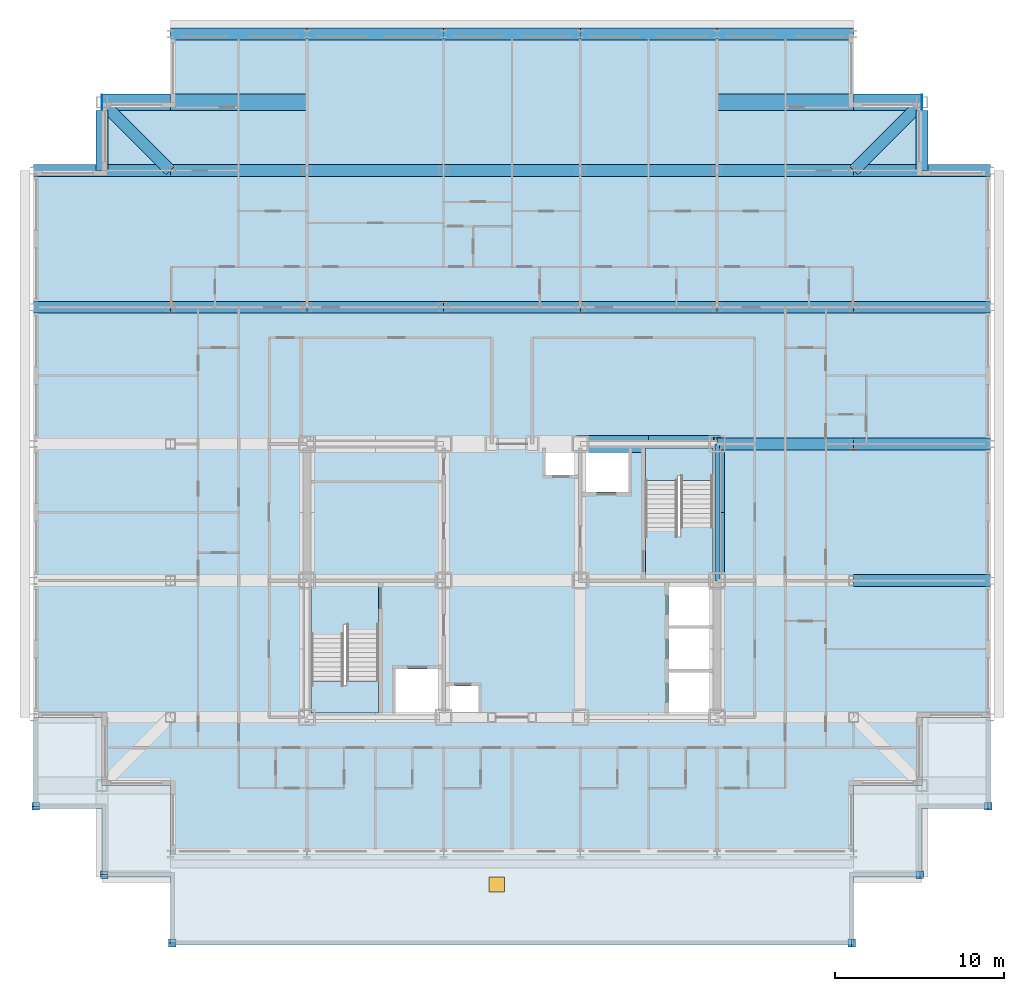
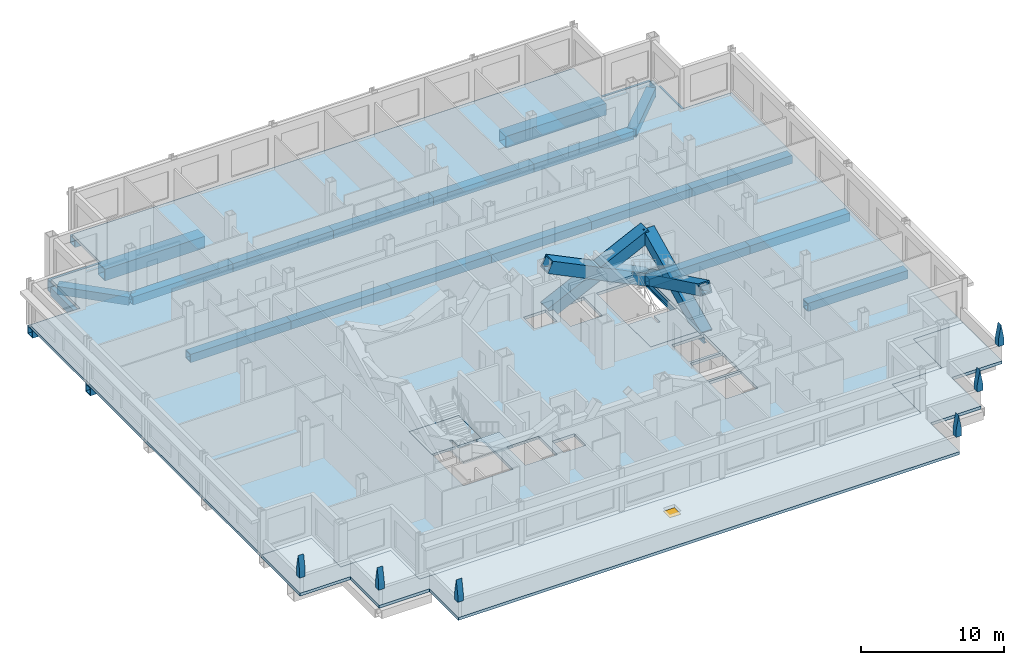
# One storey, part 2 of 15: 31 beams, 8 plates, 6 slabs, 4 members, 1 window, 1 opening, 2 elements without a shape of their own.
"""IFC4 building model written with IfcOpenShell, lengths in metres."""

from ifc_helpers import new_model, si_unit, direction, frame, origin, origin_2d, place, context, subcontext, project, spatial, polyline, rectangle, hollow_rectangle, i_section, outline, extrude, material, layer, layer_set, material_profile, profile_set, type_object, element, fill, aggregate, save


model = new_model("IFC4")

# Units and contexts
model_context = context("Model", 3, precision=1e-05, world=origin(), true_north=direction((0.0, 1.0)))
body_context = subcontext(model_context, "Body", "Model", "MODEL_VIEW")
ifc_project = project(units=[si_unit("LENGTHUNIT", "METRE"), si_unit("AREAUNIT", "SQUARE_METRE"), si_unit("VOLUMEUNIT", "CUBIC_METRE"), si_unit("PLANEANGLEUNIT", "RADIAN"), si_unit("MASSUNIT", "GRAM", prefix="KILO")], contexts=[model_context])

# Site, building, storey
site_placement = place(None, origin())
site = spatial("IfcSite", under=ifc_project, at=site_placement, CompositionType="ELEMENT")
building_placement = place(site_placement, origin())
building = spatial("IfcBuilding", under=site, at=building_placement, Name="Kopane Lantern Tower", CompositionType="ELEMENT")
storey_placement = place(building_placement, frame((0.0, 0.0, 242.39990234375)))
storey = spatial("IfcBuildingStorey", under=building, at=storey_placement, Name="L62", CompositionType="ELEMENT", Elevation=242.39990234375)

# Members
ifc_material_1 = material(Name="Steel S355JR", Category="steel")
ifc_material_profile_1 = material_profile(ifc_material_1, hollow_rectangle(XDim=1.0, YDim=1.0, WallThickness=0.10009765625, at=origin_2d()), Name="BOX 1000x1000x100")
ifc_profile_set_1 = profile_set([ifc_material_profile_1], Name="Steel S355JR")
member_type_1 = type_object("IfcMemberType", Name="BRACE BOX 1000x1000x100", PredefinedType="BRACE", material=ifc_profile_set_1)
for number, where, z_axis, x_axis, name in (
    (1, (32.39990234375, 40.5, -0.25), (0.899252666322, 0.0, 0.43742958532), (0.0, 1.0, 0.0), "Core brace L62"),
    (2, (40.5, 40.5, -0.25), (-0.899252666322, 0.0, 0.43742958532), (0.0, -1.0, 0.0), "Core brace L62"),
):
    element("IfcMember", number, at=place(storey_placement, frame(where, z_axis=z_axis, x_axis=x_axis)), inside=storey, type_object=member_type_1, Name=name, PredefinedType="BRACE", context=body_context, shape_type="SweptSolid", body=[
        extrude(hollow_rectangle(XDim=1.0, YDim=1.0, WallThickness=0.10009765625, at=origin_2d()), origin(), (0.0, 0.0, 1.0), 9.007568359375),
    ])
ifc_material_2 = material(Name="Steel S355JR", Category="steel")
ifc_material_profile_2 = material_profile(ifc_material_2, hollow_rectangle(XDim=0.89990234375, YDim=0.89990234375, WallThickness=0.090087890625, at=origin_2d()), Name="BOX 900x900x90")
ifc_profile_set_2 = profile_set([ifc_material_profile_2], Name="Steel S355JR")
member_type_2 = type_object("IfcMemberType", Name="BRACE BOX 900x900x90", PredefinedType="BRACE", material=ifc_profile_set_2)
for number, where, z_axis, x_axis, name in (
    (3, (40.5, 32.39990234375, -0.25), (0.0, 0.899252666322, 0.43742958532), (-1.0, 0.0, 0.0), "Core brace L62"),
    (4, (40.5, 40.5, -0.25), (0.0, -0.899252666322, 0.43742958532), (1.0, 0.0, 0.0), "Core brace L62"),
):
    element("IfcMember", number, at=place(storey_placement, frame(where, z_axis=z_axis, x_axis=x_axis)), inside=storey, type_object=member_type_2, Name=name, PredefinedType="BRACE", context=body_context, shape_type="SweptSolid", body=[
        extrude(hollow_rectangle(XDim=0.89990234375, YDim=0.89990234375, WallThickness=0.090087890625, at=origin_2d()), origin(), (0.0, 0.0, 1.0), 9.007568359375),
    ])

# Beams
ifc_material_3 = material(Name="Steel S355JR", Category="steel")
ifc_material_profile_3 = material_profile(ifc_material_3, hollow_rectangle(XDim=0.699951171875, YDim=0.699951171875, WallThickness=0.06005859375, at=origin_2d()), Name="BOX 700x700x60")
ifc_profile_set_3 = profile_set([ifc_material_profile_3], Name="Steel S355JR")
beam_type_1 = type_object("IfcBeamType", Name="CORNER TIE BEAM BOX 700x700x60", PredefinedType="BEAM", material=ifc_profile_set_3)
beam_1_placement = place(storey_placement, frame((4.403564453125, 60.396484375, -0.599853515625), z_axis=(0.707106781187, -0.707106781187, 0.0), x_axis=(0.707106781187, 0.707106781187, 0.0)))
element("IfcBeam", 5, at=beam_1_placement, inside=storey, type_object=beam_type_1, Name="Corner Tie Beam L62", PredefinedType="BEAM", context=body_context, shape_type="SweptSolid", body=[
    extrude(hollow_rectangle(XDim=0.699951171875, YDim=0.699951171875, WallThickness=0.06005859375, at=origin_2d()), origin(), (0.0, 0.0, 1.0), 5.227783203125),
])
beam_2_placement = place(storey_placement, frame((52.29638671875, 60.396484375, -0.599853515625), z_axis=(-0.707083429301, -0.707130132301, 0.0), x_axis=(0.707130132301, -0.707083429301, 0.0)))
element("IfcBeam", 6, at=beam_2_placement, inside=storey, type_object=beam_type_1, Name="Corner Tie Beam L62", PredefinedType="BEAM", context=body_context, shape_type="SweptSolid", body=[
    extrude(hollow_rectangle(XDim=0.699951171875, YDim=0.699951171875, WallThickness=0.06005859375, at=origin_2d()), origin(), (0.0, 0.0, 1.0), 5.2275390625),
])
ifc_material_4 = material(Name="Steel S355JR", Category="steel")
ifc_material_profile_4 = material_profile(ifc_material_4, hollow_rectangle(XDim=0.699951171875, YDim=0.699951171875, WallThickness=0.06005859375, at=origin_2d()), Name="BOX 700x700x60")
ifc_profile_set_4 = profile_set([ifc_material_profile_4], Name="Steel S355JR")
beam_type_2 = type_object("IfcBeamType", Name="EDGE BEAM BOX 700x700x60", PredefinedType="BEAM", material=ifc_profile_set_4)
for number, where, z_axis, x_axis, name in (
    (7, (4.050048828125, 60.25, -0.599853515625), (0.0, -1.0, 0.0), (1.0, 0.0, 0.0), "Edge Beam L62"),
    (8, (52.64990234375, 60.25, -0.599853515625), (0.0, -1.0, 0.0), (1.0, 0.0, 0.0), "Edge Beam L62"),
):
    element("IfcBeam", number, at=place(storey_placement, frame(where, z_axis=z_axis, x_axis=x_axis)), inside=storey, type_object=beam_type_2, Name=name, PredefinedType="BEAM", context=body_context, shape_type="SweptSolid", body=[
        extrude(hollow_rectangle(XDim=0.699951171875, YDim=0.699951171875, WallThickness=0.06005859375, at=origin_2d()), origin(), (0.0, 0.0, 1.0), 3.550048828125),
    ])
ifc_material_5 = material(Name="Steel S355JR", Category="steel")
ifc_material_profile_5 = material_profile(ifc_material_5, hollow_rectangle(XDim=0.699951171875, YDim=0.699951171875, WallThickness=0.06005859375, at=origin_2d()), Name="BOX 700x700x60")
ifc_profile_set_5 = profile_set([ifc_material_profile_5], Name="Steel S355JR")
beam_type_3 = type_object("IfcBeamType", Name="GIRDER BOX 700x700x60", PredefinedType="BEAM", material=ifc_profile_set_5)
for number, where, z_axis, x_axis, name in (
    (9, (0.0, 48.60009765625, -0.599853515625), (1.0, 0.0, 0.0), (0.0, 1.0, 0.0), "Girder L62"),
    (10, (0.0, 56.699951171875, -0.599853515625), (1.0, 0.0, 0.0), (0.0, 1.0, 0.0), "Girder L62"),
):
    element("IfcBeam", number, at=place(storey_placement, frame(where, z_axis=z_axis, x_axis=x_axis)), inside=storey, type_object=beam_type_3, Name=name, PredefinedType="BEAM", context=body_context, shape_type="SweptSolid", body=[
        extrude(hollow_rectangle(XDim=0.699951171875, YDim=0.699951171875, WallThickness=0.06005859375, at=origin_2d()), origin(), (0.0, 0.0, 1.0), 8.10009765625),
    ])
for number, where, z_axis, x_axis, name in (
    (11, (8.10009765625, 48.60009765625, -0.599853515625), (1.0, 0.0, 0.0), (0.0, 1.0, 0.0), "Girder L62"),
    (12, (8.10009765625, 56.699951171875, -0.599853515625), (1.0, 0.0, 0.0), (0.0, 1.0, 0.0), "Girder L62"),
    (13, (8.10009765625, 64.800048828125, -0.599853515625), (1.0, 0.0, 0.0), (0.0, 1.0, 0.0), "Girder L62"),
):
    element("IfcBeam", number, at=place(storey_placement, frame(where, z_axis=z_axis, x_axis=x_axis)), inside=storey, type_object=beam_type_3, Name=name, PredefinedType="BEAM", context=body_context, shape_type="SweptSolid", body=[
        extrude(hollow_rectangle(XDim=0.699951171875, YDim=0.699951171875, WallThickness=0.06005859375, at=origin_2d()), origin(), (0.0, 0.0, 1.0), 8.099853515625),
    ])
for number, where, z_axis, x_axis, name in (
    (14, (16.199951171875, 48.60009765625, -0.599853515625), (1.0, 0.0, 0.0), (0.0, 1.0, 0.0), "Girder L62"),
    (15, (16.199951171875, 56.699951171875, -0.599853515625), (1.0, 0.0, 0.0), (0.0, 1.0, 0.0), "Girder L62"),
    (16, (16.199951171875, 64.800048828125, -0.599853515625), (1.0, 0.0, 0.0), (0.0, 1.0, 0.0), "Girder L62"),
):
    element("IfcBeam", number, at=place(storey_placement, frame(where, z_axis=z_axis, x_axis=x_axis)), inside=storey, type_object=beam_type_3, Name=name, PredefinedType="BEAM", context=body_context, shape_type="SweptSolid", body=[
        extrude(hollow_rectangle(XDim=0.699951171875, YDim=0.699951171875, WallThickness=0.06005859375, at=origin_2d()), origin(), (0.0, 0.0, 1.0), 8.10009765625),
    ])
for number, where, z_axis, x_axis, name in (
    (17, (24.300048828125, 48.60009765625, -0.599853515625), (1.0, 0.0, 0.0), (0.0, 1.0, 0.0), "Girder L62"),
    (18, (24.300048828125, 56.699951171875, -0.599853515625), (1.0, 0.0, 0.0), (0.0, 1.0, 0.0), "Girder L62"),
    (19, (24.300048828125, 64.800048828125, -0.599853515625), (1.0, 0.0, 0.0), (0.0, 1.0, 0.0), "Girder L62"),
):
    element("IfcBeam", number, at=place(storey_placement, frame(where, z_axis=z_axis, x_axis=x_axis)), inside=storey, type_object=beam_type_3, Name=name, PredefinedType="BEAM", context=body_context, shape_type="SweptSolid", body=[
        extrude(hollow_rectangle(XDim=0.699951171875, YDim=0.699951171875, WallThickness=0.06005859375, at=origin_2d()), origin(), (0.0, 0.0, 1.0), 8.099853515625),
    ])
for number, where, z_axis, x_axis, name in (
    (20, (32.39990234375, 48.60009765625, -0.599853515625), (1.0, 0.0, 0.0), (0.0, 1.0, 0.0), "Girder L62"),
    (21, (32.39990234375, 56.699951171875, -0.599853515625), (1.0, 0.0, 0.0), (0.0, 1.0, 0.0), "Girder L62"),
    (22, (32.39990234375, 64.800048828125, -0.599853515625), (1.0, 0.0, 0.0), (0.0, 1.0, 0.0), "Girder L62"),
    (23, (40.5, 40.5, -0.599853515625), (1.0, 0.0, 0.0), (0.0, 1.0, 0.0), "Girder L62"),
    (24, (40.5, 48.60009765625, -0.599853515625), (1.0, 0.0, 0.0), (0.0, 1.0, 0.0), "Girder L62"),
    (25, (40.5, 56.699951171875, -0.599853515625), (1.0, 0.0, 0.0), (0.0, 1.0, 0.0), "Girder L62"),
    (26, (40.5, 64.800048828125, -0.599853515625), (1.0, 0.0, 0.0), (0.0, 1.0, 0.0), "Girder L62"),
):
    element("IfcBeam", number, at=place(storey_placement, frame(where, z_axis=z_axis, x_axis=x_axis)), inside=storey, type_object=beam_type_3, Name=name, PredefinedType="BEAM", context=body_context, shape_type="SweptSolid", body=[
        extrude(hollow_rectangle(XDim=0.699951171875, YDim=0.699951171875, WallThickness=0.06005859375, at=origin_2d()), origin(), (0.0, 0.0, 1.0), 8.10009765625),
    ])
for number, where, z_axis, x_axis, name in (
    (27, (48.60009765625, 32.39990234375, -0.599853515625), (1.0, 0.0, 0.0), (0.0, 1.0, 0.0), "Girder L62"),
    (28, (48.60009765625, 40.5, -0.599853515625), (1.0, 0.0, 0.0), (0.0, 1.0, 0.0), "Girder L62"),
    (29, (48.60009765625, 48.60009765625, -0.599853515625), (1.0, 0.0, 0.0), (0.0, 1.0, 0.0), "Girder L62"),
    (30, (48.60009765625, 56.699951171875, -0.599853515625), (1.0, 0.0, 0.0), (0.0, 1.0, 0.0), "Girder L62"),
):
    element("IfcBeam", number, at=place(storey_placement, frame(where, z_axis=z_axis, x_axis=x_axis)), inside=storey, type_object=beam_type_3, Name=name, PredefinedType="BEAM", context=body_context, shape_type="SweptSolid", body=[
        extrude(hollow_rectangle(XDim=0.699951171875, YDim=0.699951171875, WallThickness=0.06005859375, at=origin_2d()), origin(), (0.0, 0.0, 1.0), 8.099853515625),
    ])
ifc_material_6 = material(Name="Steel S355JR", Category="steel")
ifc_material_profile_6 = material_profile(ifc_material_6, i_section(OverallWidth=0.2666015625, OverallDepth=0.76220703125, WebThickness=0.014404296875, FlangeThickness=0.021484375, FilletRadius=0.0166015625, at=origin_2d()), Name="UB 762x267x173")
ifc_profile_set_6 = profile_set([ifc_material_profile_6], Name="Steel S355JR")
beam_type_4 = type_object("IfcBeamType", Name="GIRDER UB 762x267x173", PredefinedType="BEAM", material=ifc_profile_set_6)
beam_3_placement = place(storey_placement, frame((40.5, 32.39990234375, -0.631103515625), z_axis=(0.0, 1.0, 0.0), x_axis=(-1.0, 0.0, 0.0)))
element("IfcBeam", 31, at=beam_3_placement, inside=storey, type_object=beam_type_4, Name="Girder L62", PredefinedType="BEAM", context=body_context, shape_type="SweptSolid", body=[
    extrude(i_section(OverallWidth=0.2666015625, OverallDepth=0.76220703125, WebThickness=0.014404296875, FlangeThickness=0.021484375, FilletRadius=0.0166015625, at=origin_2d()), origin(), (0.0, 0.0, 1.0), 8.10009765625),
])
ifc_material_7 = material(Name="Steel S355JR", Category="steel")
ifc_material_profile_7 = material_profile(ifc_material_7, hollow_rectangle(XDim=1.0, YDim=1.0, WallThickness=0.06005859375, at=origin_2d()), Name="BOX 1000x1000x60")
ifc_profile_set_7 = profile_set([ifc_material_profile_7], Name="Steel S355JR")
beam_type_5 = type_object("IfcBeamType", Name="TRANSFER BEAM BOX 1000x1000x60", PredefinedType="BEAM", material=ifc_profile_set_7)
beam_4_placement = place(storey_placement, frame((4.050048828125, 60.75, -0.75), z_axis=(1.0, 0.0, 0.0), x_axis=(0.0, 1.0, 0.0)))
element("IfcBeam", 32, at=beam_4_placement, inside=storey, type_object=beam_type_5, Name="Transfer Beam L62", PredefinedType="BEAM", context=body_context, shape_type="SweptSolid", body=[
    extrude(hollow_rectangle(XDim=1.0, YDim=1.0, WallThickness=0.06005859375, at=origin_2d()), origin(), (0.0, 0.0, 1.0), 4.050048828125),
])
beam_5_placement = place(storey_placement, frame((8.10009765625, 60.75, -0.75), z_axis=(1.0, 0.0, 0.0), x_axis=(0.0, 1.0, 0.0)))
element("IfcBeam", 33, at=beam_5_placement, inside=storey, type_object=beam_type_5, Name="Transfer Beam L62", PredefinedType="BEAM", context=body_context, shape_type="SweptSolid", body=[
    extrude(hollow_rectangle(XDim=1.0, YDim=1.0, WallThickness=0.06005859375, at=origin_2d()), origin(), (0.0, 0.0, 1.0), 8.099853515625),
])
beam_6_placement = place(storey_placement, frame((48.60009765625, 60.75, -0.75), z_axis=(-1.0, 0.0, 0.0), x_axis=(0.0, -1.0, 0.0)))
element("IfcBeam", 34, at=beam_6_placement, inside=storey, type_object=beam_type_5, Name="Transfer Beam L62", PredefinedType="BEAM", context=body_context, shape_type="SweptSolid", body=[
    extrude(hollow_rectangle(XDim=1.0, YDim=1.0, WallThickness=0.06005859375, at=origin_2d()), origin(), (0.0, 0.0, 1.0), 8.10009765625),
])
beam_7_placement = place(storey_placement, frame((52.64990234375, 60.75, -0.75), z_axis=(-1.0, 0.0, 0.0), x_axis=(0.0, -1.0, 0.0)))
element("IfcBeam", 35, at=beam_7_placement, inside=storey, type_object=beam_type_5, Name="Transfer Beam L62", PredefinedType="BEAM", context=body_context, shape_type="SweptSolid", body=[
    extrude(hollow_rectangle(XDim=1.0, YDim=1.0, WallThickness=0.06005859375, at=origin_2d()), origin(), (0.0, 0.0, 1.0), 4.0498046875),
])

# Plates
ifc_material_8 = material(Name="Terracotta rainscreen on light steel framing", Category="masonry")
ifc_layer_1 = layer(ifc_material_8, 0.449951171875)
ifc_layer_set_1 = layer_set([ifc_layer_1], Name="PINNACLE TP1 450x450x1800 TERRACOTTA")
plate_type_1 = type_object("IfcPlateType", Name="PINNACLE TP1 450x450x1800 TERRACOTTA", PredefinedType="USERDEFINED", material=ifc_layer_set_1)
for number, where, z_axis, x_axis, name in (
    (36, (0.125, 19.25, 1.380126953125), (0.0, 0.0, 1.0), (0.0, -1.0, 0.0), "Pinnacle L62"),
    (37, (4.175048828125, 15.199951171875, 1.380126953125), (0.0, 0.0, 1.0), (0.0, -1.0, 0.0), "Pinnacle L62"),
    (38, (8.22509765625, 11.14990234375, 1.380126953125), (0.0, 0.0, 1.0), (0.0, -1.0, 0.0), "Pinnacle L62"),
    (39, (48.25, 10.925048828125, 1.380126953125), (0.0, 0.0, 1.0), (1.0, 0.0, 0.0), "Pinnacle L62"),
    (40, (52.300048828125, 14.97509765625, 1.380126953125), (0.0, 0.0, 1.0), (1.0, 0.0, 0.0), "Pinnacle L62"),
    (41, (56.35009765625, 19.02490234375, 1.380126953125), (0.0, 0.0, 1.0), (1.0, 0.0, 0.0), "Pinnacle L62"),
):
    element("IfcPlate", number, at=place(storey_placement, frame(where, z_axis=z_axis, x_axis=x_axis)), inside=storey, type_object=plate_type_1, Name=name, ObjectType="PINNACLE", PredefinedType="USERDEFINED", context=body_context, shape_type="SweptSolid", body=[
        extrude(outline(polyline([(0.0, 0.0), (0.449951171875, 0.0), (0.449951171875, 0.599853515625), (0.22509765625, 1.800048828125), (0.0, 0.599853515625), (0.0, 0.0)])), frame((0.0, 0.22509765625, 0.0), z_axis=(0.0, -1.0, 0.0), x_axis=(1.0, 0.0, 0.0)), (0.0, 0.0, 1.0), 0.449951171875),
    ])

# Slab
ifc_material_9 = material(Name="Concrete C40/50", Category="concrete")
ifc_layer_2 = layer(ifc_material_9, 0.25)
ifc_layer_set_2 = layer_set([ifc_layer_2], Name="SLAB 250 COMPOSITE")
slab_type_1 = type_object("IfcSlabType", Name="SLAB 250 COMPOSITE", PredefinedType="FLOOR", material=ifc_layer_set_2)
slab_1_placement = place(storey_placement, frame((0.0, 0.0, -0.25)))
element("IfcSlab", 42, at=slab_1_placement, inside=storey, type_object=slab_type_1, Name="Floor slab L62", PredefinedType="FLOOR", context=body_context, shape_type="SweptSolid", body=[
    extrude(outline(polyline([(8.10009765625, 16.199951171875), (48.60009765625, 16.199951171875), (48.60009765625, 20.25), (52.64990234375, 20.25), (52.64990234375, 24.300048828125), (56.699951171875, 24.300048828125), (56.699951171875, 56.699951171875), (52.64990234375, 56.699951171875), (52.64990234375, 60.75), (48.60009765625, 60.75), (48.60009765625, 64.800048828125), (8.10009765625, 64.800048828125), (8.10009765625, 60.75), (4.050048828125, 60.75), (4.050048828125, 56.699951171875), (0.0, 56.699951171875), (0.0, 24.300048828125), (4.050048828125, 24.300048828125), (4.050048828125, 20.25), (8.10009765625, 20.25), (8.10009765625, 16.199951171875)]), holes=[polyline([(16.449951171875, 24.550048828125), (20.449951171875, 24.550048828125), (20.449951171875, 32.14990234375), (16.449951171875, 32.14990234375), (16.449951171875, 24.550048828125)]), polyline([(36.25, 32.64990234375), (40.25, 32.64990234375), (40.25, 40.25), (36.25, 40.25), (36.25, 32.64990234375)]), polyline([(37.64990234375, 24.550048828125), (40.25, 24.550048828125), (40.25, 26.949951171875), (37.64990234375, 26.949951171875), (37.64990234375, 24.550048828125)]), polyline([(37.64990234375, 27.14990234375), (40.25, 27.14990234375), (40.25, 29.550048828125), (37.64990234375, 29.550048828125), (37.64990234375, 27.14990234375)]), polyline([(37.64990234375, 29.75), (40.25, 29.75), (40.25, 32.14990234375), (37.64990234375, 32.14990234375), (37.64990234375, 29.75)]), polyline([(21.449951171875, 24.550048828125), (24.050048828125, 24.550048828125), (24.050048828125, 27.14990234375), (21.449951171875, 27.14990234375), (21.449951171875, 24.550048828125)]), polyline([(32.64990234375, 37.64990234375), (35.25, 37.64990234375), (35.25, 40.25), (32.64990234375, 40.25), (32.64990234375, 37.64990234375)]), polyline([(24.550048828125, 24.550048828125), (26.35009765625, 24.550048828125), (26.35009765625, 26.14990234375), (24.550048828125, 26.14990234375), (24.550048828125, 24.550048828125)]), polyline([(30.35009765625, 38.64990234375), (32.14990234375, 38.64990234375), (32.14990234375, 40.25), (30.35009765625, 40.25), (30.35009765625, 38.64990234375)])]), origin(), (0.0, 0.0, 1.0), 0.25),
])

# Slab, opening, window
ifc_material_10 = material(Name="Concrete C40/50", Category="concrete")
ifc_layer_3 = layer(ifc_material_10, 0.25)
ifc_layer_set_3 = layer_set([ifc_layer_3], Name="SLAB 250 ROOF")
slab_type_2 = type_object("IfcSlabType", Name="SLAB 250 ROOF", PredefinedType="ROOF", material=ifc_layer_set_3)
slab_2_placement = place(storey_placement, frame((0.0, 0.0, -0.25)))
slab_2 = element("IfcSlab", 43, at=slab_2_placement, inside=storey, type_object=slab_type_2, Name="Maintenance roof slab L62", PredefinedType="ROOF", context=body_context, shape_type="SweptSolid", body=[
    extrude(outline(polyline([(56.699951171875, 18.89990234375), (52.64990234375, 18.89990234375), (52.64990234375, 14.85009765625), (48.60009765625, 14.85009765625), (48.60009765625, 10.800048828125), (8.10009765625, 10.800048828125), (8.10009765625, 14.85009765625), (4.050048828125, 14.85009765625), (4.050048828125, 18.89990234375), (0.0, 18.89990234375), (0.0, 24.300048828125), (4.050048828125, 24.300048828125), (4.050048828125, 20.25), (8.10009765625, 20.25), (8.10009765625, 16.199951171875), (48.60009765625, 16.199951171875), (48.60009765625, 20.25), (52.64990234375, 20.25), (52.64990234375, 24.300048828125), (56.699951171875, 24.300048828125), (56.699951171875, 18.89990234375)])), origin(), (0.0, 0.0, 1.0), 0.25),
])
opening_placement = place(slab_2_placement, frame((27.449951171875, 14.39990234375, 0.0)))
opening = element("IfcOpeningElement", 44, at=opening_placement, cuts=slab_2, Name="Opening RH1", PredefinedType="OPENING", context=body_context, shape_type="SweptSolid", body=[
    extrude(rectangle(XDim=0.89990234375, YDim=0.89990234375, at=origin_2d()), origin(), (0.0, 0.0, 1.0), 0.25),
])
ifc_material_11 = material(Name="Insulated aluminium", Category="aluminium")
window_type = type_object("IfcWindowType", Name="ROOF ACCESS HATCH RH1 900x900", PartitioningType="SINGLE_PANEL", PredefinedType="SKYLIGHT", material=ifc_material_11)
window_placement = place(opening_placement, frame((0.0, 0.0, 0.199951171875)))
window = element("IfcWindow", 45, at=window_placement, inside=storey, type_object=window_type, Name="Roof access hatch L62", OverallHeight=0.89990234375, OverallWidth=0.89990234375, PartitioningType="SINGLE_PANEL", PredefinedType="SKYLIGHT", context=body_context, shape_type="SweptSolid", body=[
    extrude(rectangle(XDim=0.89990234375, YDim=0.89990234375, at=origin_2d()), origin(), (0.0, 0.0, 1.0), 0.050048828125),
])
fill(opening, window)

# Stair, slabs
ifc_material_12 = material(Name="Steel S355JR", Category="steel")
stair_type = type_object("IfcStairType", Name="EXIT STAIR 1900 HALF TURN", PredefinedType="HALF_TURN_STAIR", material=ifc_material_12)
stair_1_placement = place(storey_placement, origin())
stair_1 = element("IfcStair", 46, at=stair_1_placement, inside=storey, type_object=stair_type, Name="Exit stair ST1 L62", PredefinedType="HALF_TURN_STAIR")
ifc_material_13 = material(Name="Concrete C40/50", Category="concrete")
ifc_layer_4 = layer(ifc_material_13, 0.199951171875)
ifc_layer_set_4 = layer_set([ifc_layer_4], Name="STAIR LANDING 200")
slab_type_3 = type_object("IfcSlabType", Name="STAIR LANDING 200", PredefinedType="LANDING", material=ifc_layer_set_4)
slab_3_placement = place(storey_placement, frame((0.0, 0.0, -0.199951171875)))
slab_3 = element("IfcSlab", 47, at=slab_3_placement, type_object=slab_type_3, Name="ST1 landing 1", PredefinedType="LANDING", context=body_context, shape_type="SweptSolid", body=[
    extrude(outline(polyline([(18.35009765625, 29.81005859375), (18.550048828125, 29.81005859375), (18.550048828125, 28.969970703125), (20.449951171875, 28.969970703125), (20.449951171875, 32.14990234375), (16.449951171875, 32.14990234375), (16.449951171875, 28.969970703125), (18.35009765625, 28.969970703125), (18.35009765625, 29.81005859375)])), origin(), (0.0, 0.0, 1.0), 0.199951171875),
])
slab_4_placement = place(storey_placement, frame((0.0, 0.0, 1.8349609375)))
slab_4 = element("IfcSlab", 48, at=slab_4_placement, type_object=slab_type_3, Name="ST1 landing 2", PredefinedType="LANDING", context=body_context, shape_type="SweptSolid", body=[
    extrude(outline(polyline([(20.449951171875, 26.449951171875), (18.550048828125, 26.449951171875), (18.550048828125, 26.169921875), (18.35009765625, 26.169921875), (18.35009765625, 26.449951171875), (16.449951171875, 26.449951171875), (16.449951171875, 24.550048828125), (20.449951171875, 24.550048828125), (20.449951171875, 26.449951171875)])), origin(), (0.0, 0.0, 1.0), 0.199951171875),
])
aggregate(stair_1, [slab_3, slab_4])

stair_2_placement = place(storey_placement, origin())
stair_2 = element("IfcStair", 49, at=stair_2_placement, inside=storey, type_object=stair_type, Name="Exit stair ST2 L62", PredefinedType="HALF_TURN_STAIR")
slab_5_placement = place(storey_placement, frame((0.0, 0.0, -0.199951171875)))
slab_5 = element("IfcSlab", 50, at=slab_5_placement, type_object=slab_type_3, Name="ST2 landing 1", PredefinedType="LANDING", context=body_context, shape_type="SweptSolid", body=[
    extrude(outline(polyline([(40.25, 35.830078125), (38.35009765625, 35.830078125), (38.35009765625, 34.989990234375), (38.14990234375, 34.989990234375), (38.14990234375, 35.830078125), (36.25, 35.830078125), (36.25, 32.64990234375), (40.25, 32.64990234375), (40.25, 35.830078125)])), origin(), (0.0, 0.0, 1.0), 0.199951171875),
])
slab_6_placement = place(storey_placement, frame((0.0, 0.0, 1.8349609375)))
slab_6 = element("IfcSlab", 51, at=slab_6_placement, type_object=slab_type_3, Name="ST2 landing 2", PredefinedType="LANDING", context=body_context, shape_type="SweptSolid", body=[
    extrude(outline(polyline([(38.14990234375, 38.6298828125), (38.35009765625, 38.6298828125), (38.35009765625, 38.35009765625), (40.25, 38.35009765625), (40.25, 40.25), (36.25, 40.25), (36.25, 38.35009765625), (38.14990234375, 38.35009765625), (38.14990234375, 38.6298828125)])), origin(), (0.0, 0.0, 1.0), 0.199951171875),
])
aggregate(stair_2, [slab_5, slab_6])

# Plates
ifc_material_14 = material(Name="Steel S355JR", Category="steel")
ifc_layer_5 = layer(ifc_material_14, 0.02490234375)
ifc_layer_set_5 = layer_set([ifc_layer_5], Name="STEEL END CAP PLATE PL25")
plate_type_2 = type_object("IfcPlateType", Name="STEEL END CAP PLATE PL25", PredefinedType="USERDEFINED", material=ifc_layer_set_5)
for number, where, z_axis, x_axis, name in (
    (52, (4.049560546875, 60.75, -1.1904296875), (0.0, 0.0, 1.0), (1.0, 0.0, 0.0), "Transfer beam end cap plate L62"),
    (53, (52.650390625, 60.75, -1.1904296875), (0.0, 0.0, 1.0), (1.0, 0.0, 0.0), "Transfer beam end cap plate L62"),
):
    element("IfcPlate", number, at=place(storey_placement, frame(where, z_axis=z_axis, x_axis=x_axis)), inside=storey, type_object=plate_type_2, Name=name, ObjectType="PLATE", PredefinedType="USERDEFINED", context=body_context, shape_type="SweptSolid", body=[
        extrude(rectangle(XDim=0.02490234375, YDim=0.881103515625, at=origin_2d()), origin(), (0.0, 0.0, 1.0), 0.881103515625),
    ])

save(model, "model.ifc")
